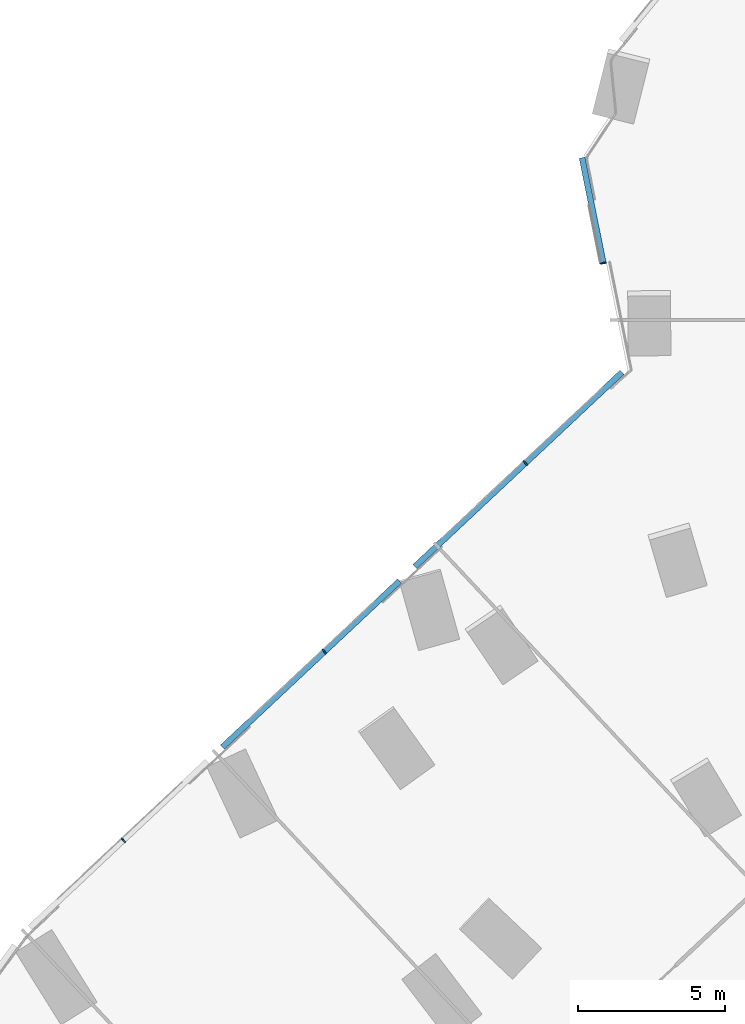
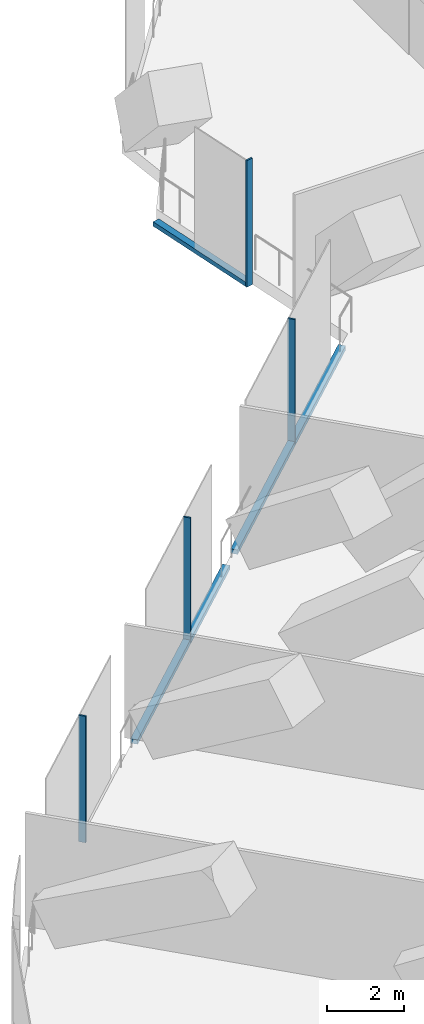
# One storey, part 6 of 31: 7 members, 2 elements without a shape of their own.
"""IFC4 building model written with IfcOpenShell, lengths in metres."""

from ifc_helpers import new_model, si_unit, direction, frame, origin, origin_2d, place, context, subcontext, project, spatial, rectangle, extrude, material, material_profile, profile_set, type_object, element, aggregate, save


model = new_model("IFC4")

# Units and contexts
model_context = context("Model", 3, precision=1e-05, world=origin(), true_north=direction((0.0, 1.0)))
body_context = subcontext(model_context, "Body", "Model", "MODEL_VIEW")
ifc_project = project(units=[si_unit("LENGTHUNIT", "METRE"), si_unit("AREAUNIT", "SQUARE_METRE"), si_unit("VOLUMEUNIT", "CUBIC_METRE"), si_unit("PLANEANGLEUNIT", "RADIAN"), si_unit("MASSUNIT", "GRAM", prefix="KILO")], contexts=[model_context])

# Site, building, storey
site_placement = place(None, origin())
site = spatial("IfcSite", under=ifc_project, at=site_placement, CompositionType="ELEMENT")
building_placement = place(site_placement, origin())
building = spatial("IfcBuilding", under=site, at=building_placement, Name="Orlundy Tower", CompositionType="ELEMENT")
storey_placement = place(building_placement, frame((0.0, 0.0, 54.800048828125)))
storey = spatial("IfcBuildingStorey", under=building, at=storey_placement, Name="L12", CompositionType="ELEMENT", Elevation=54.800048828125)

# Curtain wall, members
ifc_material_1 = material(Name="Aluminium bronze anodised", Category="aluminium")
curtain_wall_type = type_object("IfcCurtainWallType", Name="CW5 wall", PredefinedType="NOTDEFINED", material=ifc_material_1)
curtain_wall_1_placement = place(storey_placement, origin())
curtain_wall_1 = element("IfcCurtainWall", 1, at=curtain_wall_1_placement, inside=storey, type_object=curtain_wall_type, Name="CW5 run 012", PredefinedType="NOTDEFINED")
ifc_material_2 = material(Name="Aluminium bronze anodised", Category="aluminium")
ifc_material_profile_1 = material_profile(ifc_material_2, rectangle(XDim=0.199951171875, YDim=0.050048828125, at=origin_2d()), Name="CW5 mullion 50x200")
ifc_profile_set_1 = profile_set([ifc_material_profile_1], Name="Aluminium bronze anodised")
member_type_1 = type_object("IfcMemberType", Name="CW5 mullion 50x200", PredefinedType="MULLION", material=ifc_profile_set_1)
member_1_placement = place(storey_placement, frame((-47.531982421875, -17.025390625, -0.400146484375), z_axis=(0.0, 0.0, 1.0), x_axis=(-0.684134021557, 0.729356319331, 0.0)))
member_1 = element("IfcMember", 2, at=member_1_placement, type_object=member_type_1, Name="CW5 mullion 21", PredefinedType="MULLION", context=body_context, shape_type="SweptSolid", body=[
    extrude(rectangle(XDim=0.199951171875, YDim=0.050048828125, at=origin_2d()), origin(), (0.0, 0.0, 1.0), 4.0),
])
member_2_placement = place(storey_placement, frame((-40.698974609375, -10.615966796875, -0.400146484375), z_axis=(0.0, 0.0, 1.0), x_axis=(-0.684134021557, 0.729356319331, 0.0)))
member_2 = element("IfcMember", 3, at=member_2_placement, type_object=member_type_1, Name="CW5 mullion 23", PredefinedType="MULLION", context=body_context, shape_type="SweptSolid", body=[
    extrude(rectangle(XDim=0.199951171875, YDim=0.050048828125, at=origin_2d()), origin(), (0.0, 0.0, 1.0), 4.0),
])
member_3_placement = place(storey_placement, frame((-33.865966796875, -4.206787109375, -0.400146484375), z_axis=(0.0, 0.0, 1.0), x_axis=(-0.684134021557, 0.729356319331, 0.0)))
member_3 = element("IfcMember", 4, at=member_3_placement, type_object=member_type_1, Name="CW5 mullion 25", PredefinedType="MULLION", context=body_context, shape_type="SweptSolid", body=[
    extrude(rectangle(XDim=0.199951171875, YDim=0.050048828125, at=origin_2d()), origin(), (0.0, 0.0, 1.0), 4.0),
])

# Curtain wall, member
curtain_wall_2_placement = place(storey_placement, origin())
curtain_wall_2 = element("IfcCurtainWall", 5, at=curtain_wall_2_placement, inside=storey, type_object=curtain_wall_type, Name="CW5 run 013", PredefinedType="NOTDEFINED")
member_4_placement = place(storey_placement, frame((-31.217041015625, 2.58740234375, -0.400146484375), z_axis=(0.0, 0.0, 1.0), x_axis=(-0.980498653148, -0.196525802824, 0.0)))
member_4 = element("IfcMember", 6, at=member_4_placement, type_object=member_type_1, Name="CW5 mullion 27", PredefinedType="MULLION", context=body_context, shape_type="SweptSolid", body=[
    extrude(rectangle(XDim=0.199951171875, YDim=0.050048828125, at=origin_2d()), origin(), (0.0, 0.0, 1.0), 4.0),
])

# Member
ifc_material_3 = material(Name="Aluminium bronze anodised", Category="aluminium")
ifc_material_profile_2 = material_profile(ifc_material_3, rectangle(XDim=0.199951171875, YDim=0.139892578125, at=origin_2d()), Name="CW5 transom 200x140")
ifc_profile_set_2 = profile_set([ifc_material_profile_2], Name="Aluminium bronze anodised")
member_type_2 = type_object("IfcMemberType", Name="CW5 transom 200x140", PredefinedType="USERDEFINED", material=ifc_profile_set_2)
member_5_placement = place(storey_placement, frame((-44.158447265625, -13.861083984375, -0.330078125), z_axis=(0.729353535304, 0.684136989601, 0.0), x_axis=(-0.684136989601, 0.729353535304, 0.0)))
member_5 = element("IfcMember", 7, at=member_5_placement, type_object=member_type_2, Name="CW5 transom", ObjectType="TRANSOM", PredefinedType="USERDEFINED", context=body_context, shape_type="SweptSolid", body=[
    extrude(rectangle(XDim=0.199951171875, YDim=0.139892578125, at=origin_2d()), origin(), (0.0, 0.0, 1.0), 8.250244140625),
])

member_6_placement = place(storey_placement, frame((-37.617919921875, -7.72607421875, -0.330078125), z_axis=(0.729351080153, 0.68413960701, 0.0), x_axis=(-0.68413960701, 0.729351080153, 0.0)))
member_6 = element("IfcMember", 8, at=member_6_placement, type_object=member_type_2, Name="CW5 transom", ObjectType="TRANSOM", PredefinedType="USERDEFINED", context=body_context, shape_type="SweptSolid", body=[
    extrude(rectangle(XDim=0.199951171875, YDim=0.139892578125, at=origin_2d()), origin(), (0.0, 0.0, 1.0), 9.655029296875),
])

aggregate(curtain_wall_1, [member_1, member_2, member_3, member_5, member_6])

member_7_placement = place(storey_placement, frame((-31.221923828125, 2.61181640625, -0.330078125), z_axis=(-0.196504099766, 0.98050300294, 0.0), x_axis=(-0.98050300294, -0.196504099766, 0.0)))
member_7 = element("IfcMember", 9, at=member_7_placement, type_object=member_type_2, Name="CW5 transom", ObjectType="TRANSOM", PredefinedType="USERDEFINED", context=body_context, shape_type="SweptSolid", body=[
    extrude(rectangle(XDim=0.199951171875, YDim=0.139892578125, at=origin_2d()), origin(), (0.0, 0.0, 1.0), 3.63037109375),
])

aggregate(curtain_wall_2, [member_4, member_7])

save(model, "model.ifc")
